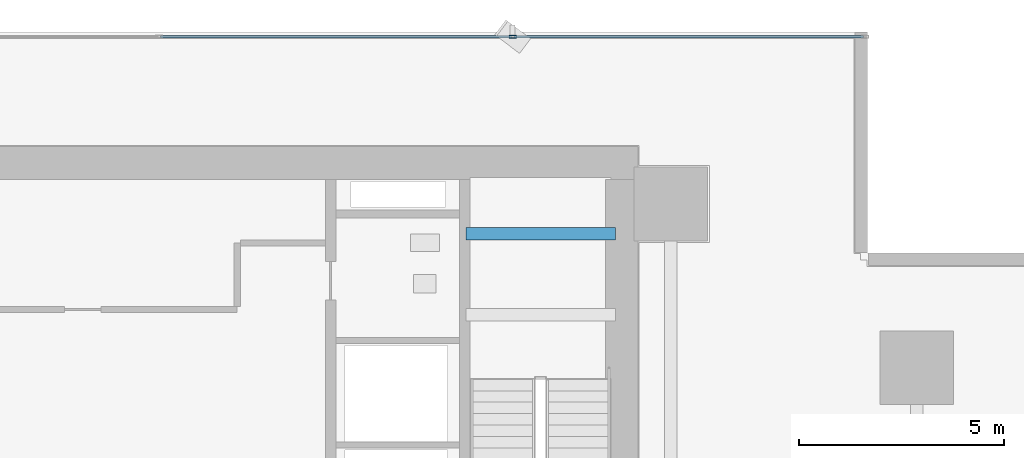
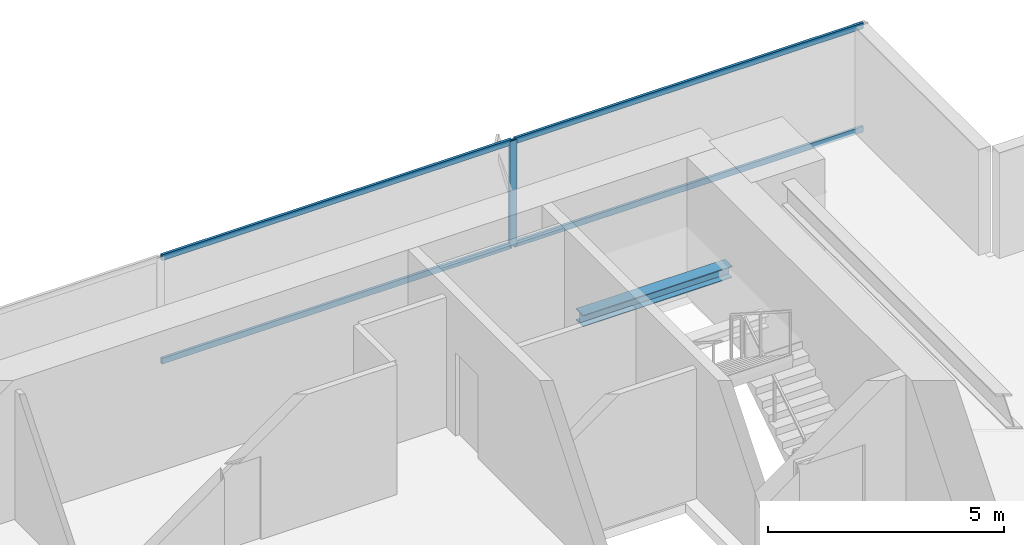
# One storey, part 22 of 33: 5 members, 1 beam, 1 element without a shape of its own.
"""IFC4 building model written with IfcOpenShell, lengths in metres."""

from ifc_helpers import new_model, si_unit, direction, frame, origin, origin_2d, place, context, subcontext, project, spatial, hollow_rectangle, i_section, extrude, source, transform, mapped, material, layer, layer_set, material_profile, profile_set, type_object, element, aggregate, save


model = new_model("IFC4")

# Units and contexts
model_context = context("Model", 3, precision=1e-05, world=origin(), true_north=direction((0.0, 1.0)))
body_context = subcontext(model_context, "Body", "Model", "MODEL_VIEW")
ifc_project = project(units=[si_unit("LENGTHUNIT", "METRE"), si_unit("AREAUNIT", "SQUARE_METRE"), si_unit("VOLUMEUNIT", "CUBIC_METRE"), si_unit("PLANEANGLEUNIT", "RADIAN"), si_unit("MASSUNIT", "GRAM", prefix="KILO")], contexts=[model_context])

# Site, building, storey
site_placement = place(None, origin())
site = spatial("IfcSite", under=ifc_project, at=site_placement, CompositionType="ELEMENT")
building_placement = place(site_placement, origin())
building = spatial("IfcBuilding", under=site, at=building_placement, Name="Sumidabori Civic Tower", CompositionType="ELEMENT")
storey_placement = place(building_placement, frame((0.0, 0.0, 23.60009765625)))
storey = spatial("IfcBuildingStorey", under=building, at=storey_placement, Name="L05", CompositionType="ELEMENT", Elevation=23.60009765625)

# Beam
ifc_material_1 = material(Name="Steel SN490", Category="steel")
ifc_material_profile_1 = material_profile(ifc_material_1, i_section(OverallWidth=0.300048828125, OverallDepth=0.300048828125, WebThickness=0.010986328125, FlangeThickness=0.01904296875, at=origin_2d()), Name="HE 300 B")
ifc_profile_set_1 = profile_set([ifc_material_profile_1], Name="Steel SN490")
beam_type = type_object("IfcBeamType", Name="BM-LDG-300", PredefinedType="BEAM", material=ifc_profile_set_1)
shared_shape_1 = source(origin(), body_context, "Body", "SweptSolid", [
    extrude(i_section(OverallWidth=0.300048828125, OverallDepth=0.300048828125, WebThickness=0.010986328125, FlangeThickness=0.01904296875, at=origin_2d()), origin(), (0.0, 0.0, 1.0), 3.64990234375),
])
beam_placement = place(storey_placement, frame((11.800048828125, 22.069580078125, 1.449951171875), z_axis=(1.0, 0.0, 0.0), x_axis=(0.0, 1.0, 0.0)))
element("IfcBeam", 1, at=beam_placement, inside=storey, type_object=beam_type, Name="Stair ST-2 Landing Trimmer Beam L05-1B", PredefinedType="BEAM", context=body_context, shape_type="MappedRepresentation", body=[
    mapped(shared_shape_1, transform((0.0, 0.0, 0.0), x_axis=(1.0, 0.0, 0.0), y_axis=(0.0, 1.0, 0.0), z_axis=(0.0, 0.0, 1.0), scale=1.0)),
])

# Curtain wall, members
ifc_material_2 = material(Name="Anodised Bronze Aluminium AW-6063-T6", Category="aluminium")
ifc_layer = layer(ifc_material_2, 0.179931640625, Name="Anodised Bronze Aluminium AW-6063-T6")
ifc_layer_set = layer_set([ifc_layer], Name="Anodised Bronze Aluminium AW-6063-T6")
curtain_wall_type = type_object("IfcCurtainWallType", Name="CW-SYS-2", PredefinedType="NOTDEFINED", material=ifc_layer_set)
curtain_wall_placement = place(storey_placement, origin())
curtain_wall = element("IfcCurtainWall", 2, at=curtain_wall_placement, inside=storey, type_object=curtain_wall_type, Name="Curtain Wall CW:L05:R08", PredefinedType="NOTDEFINED")
ifc_material_profile_2 = material_profile(ifc_material_2, hollow_rectangle(XDim=0.070068359375, YDim=0.179931640625, WallThickness=0.006103515625, at=origin_2d()), Name="ALU MULLION 180x70")
ifc_profile_set_2 = profile_set([ifc_material_profile_2], Name="Anodised Bronze Aluminium AW-6063-T6")
member_type_1 = type_object("IfcMemberType", Name="CW-MUL-180", PredefinedType="MULLION", material=ifc_profile_set_2)
shared_shape_2 = source(origin(), body_context, "Body", "SweptSolid", [
    extrude(hollow_rectangle(XDim=0.070068359375, YDim=0.179931640625, WallThickness=0.006103515625, at=origin_2d()), origin(), (0.0, 0.0, 1.0), 2.739990234375),
])
member_1_placement = place(storey_placement, frame((12.94189453125, 26.8798828125, 0.0), z_axis=(0.0, 0.0, 1.0), x_axis=(0.0, -1.0, 0.0)))
member_1 = element("IfcMember", 3, at=member_1_placement, type_object=member_type_1, Name="CW-2 mullion 2", PredefinedType="MULLION", context=body_context, shape_type="MappedRepresentation", body=[
    mapped(shared_shape_2, transform((0.0, 0.0, 0.0), x_axis=(1.0, 0.0, 0.0), y_axis=(0.0, 1.0, 0.0), z_axis=(0.0, 0.0, 1.0), scale=1.0)),
])
ifc_material_profile_3 = material_profile(ifc_material_2, hollow_rectangle(XDim=0.06494140625, YDim=0.14990234375, WallThickness=0.0048828125, at=origin_2d()), Name="ALU TRANSOM 150x65")
ifc_profile_set_3 = profile_set([ifc_material_profile_3], Name="Anodised Bronze Aluminium AW-6063-T6")
member_type_2 = type_object("IfcMemberType", Name="CW-TRN-150", PredefinedType="USERDEFINED", material=ifc_profile_set_3)
shared_shape_3 = source(origin(), body_context, "Body", "SweptSolid", [
    extrude(hollow_rectangle(XDim=0.06494140625, YDim=0.14990234375, WallThickness=0.0048828125, at=origin_2d()), origin(), (0.0, 0.0, 1.0), 8.52294921875),
])
member_2_placement = place(storey_placement, frame((21.5, 26.8798828125, 0.032470703125), z_axis=(-1.0, 0.0, 0.0), x_axis=(0.0, -1.0, 0.0)))
member_2 = element("IfcMember", 4, at=member_2_placement, type_object=member_type_2, Name="CW-2 transom 1.1", ObjectType="TRANSOM", PredefinedType="USERDEFINED", context=body_context, shape_type="MappedRepresentation", body=[
    mapped(shared_shape_3, transform((0.0, 0.0, 0.0), x_axis=(1.0, 0.0, 0.0), y_axis=(0.0, 1.0, 0.0), z_axis=(0.0, 0.0, 1.0), scale=1.0)),
])
member_3_placement = place(storey_placement, frame((21.5, 26.8798828125, 2.70751953125), z_axis=(-1.0, 0.0, 0.0), x_axis=(0.0, -1.0, 0.0)))
member_3 = element("IfcMember", 5, at=member_3_placement, type_object=member_type_2, Name="CW-2 transom 1.2", ObjectType="TRANSOM", PredefinedType="USERDEFINED", context=body_context, shape_type="MappedRepresentation", body=[
    mapped(shared_shape_3, transform((0.0, 0.0, 0.0), x_axis=(1.0, 0.0, 0.0), y_axis=(0.0, 1.0, 0.0), z_axis=(0.0, 0.0, 1.0), scale=1.0)),
])
shared_shape_4 = source(origin(), body_context, "Body", "SweptSolid", [
    extrude(hollow_rectangle(XDim=0.06494140625, YDim=0.14990234375, WallThickness=0.0048828125, at=origin_2d()), origin(), (0.0, 0.0, 1.0), 8.557861328125),
])
member_4_placement = place(storey_placement, frame((12.906982421875, 26.8798828125, 0.032470703125), z_axis=(-1.0, 0.0, 0.0), x_axis=(0.0, -1.0, 0.0)))
member_4 = element("IfcMember", 6, at=member_4_placement, type_object=member_type_2, Name="CW-2 transom 2.1", ObjectType="TRANSOM", PredefinedType="USERDEFINED", context=body_context, shape_type="MappedRepresentation", body=[
    mapped(shared_shape_4, transform((0.0, 0.0, 0.0), x_axis=(1.0, 0.0, 0.0), y_axis=(0.0, 1.0, 0.0), z_axis=(0.0, 0.0, 1.0), scale=1.0)),
])
member_5_placement = place(storey_placement, frame((12.906982421875, 26.8798828125, 2.70751953125), z_axis=(-1.0, 0.0, 0.0), x_axis=(0.0, -1.0, 0.0)))
member_5 = element("IfcMember", 7, at=member_5_placement, type_object=member_type_2, Name="CW-2 transom 2.2", ObjectType="TRANSOM", PredefinedType="USERDEFINED", context=body_context, shape_type="MappedRepresentation", body=[
    mapped(shared_shape_4, transform((0.0, 0.0, 0.0), x_axis=(1.0, 0.0, 0.0), y_axis=(0.0, 1.0, 0.0), z_axis=(0.0, 0.0, 1.0), scale=1.0)),
])
aggregate(curtain_wall, [member_1, member_2, member_3, member_4, member_5])

save(model, "model.ifc")
